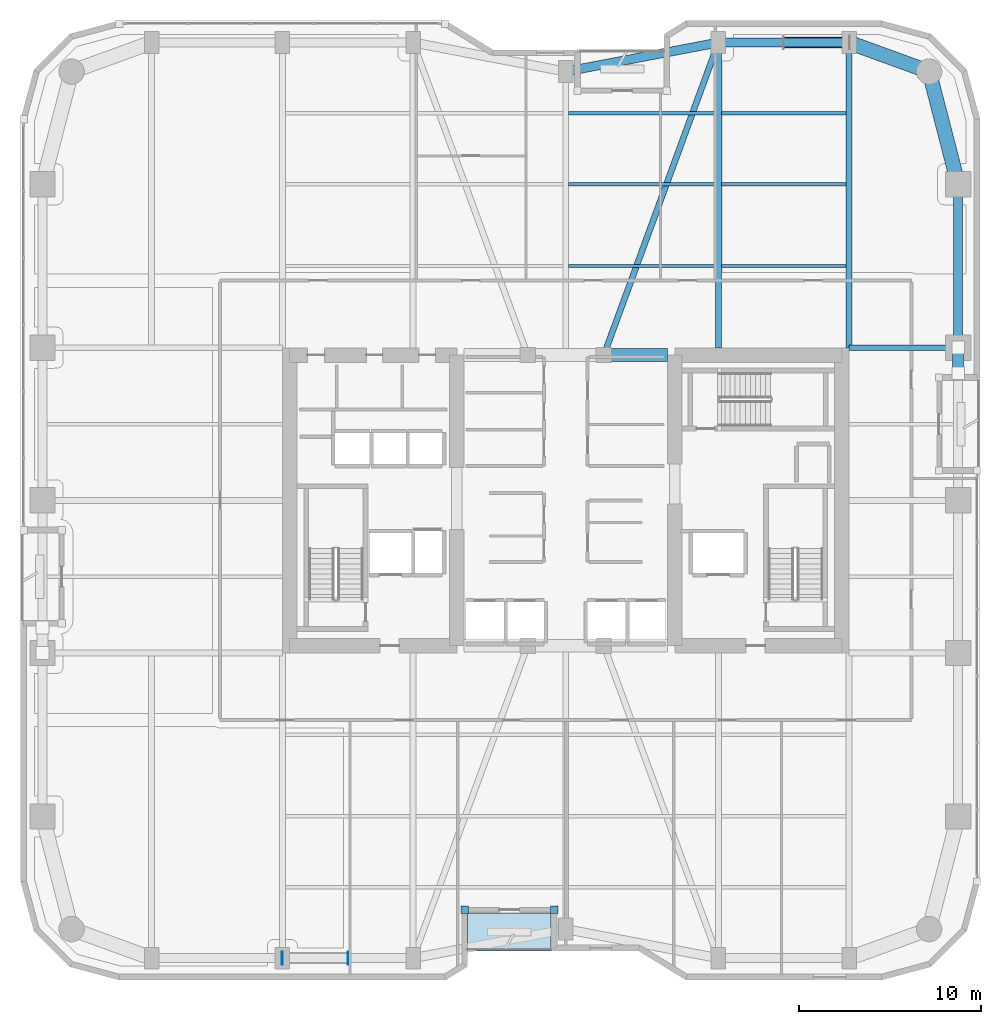
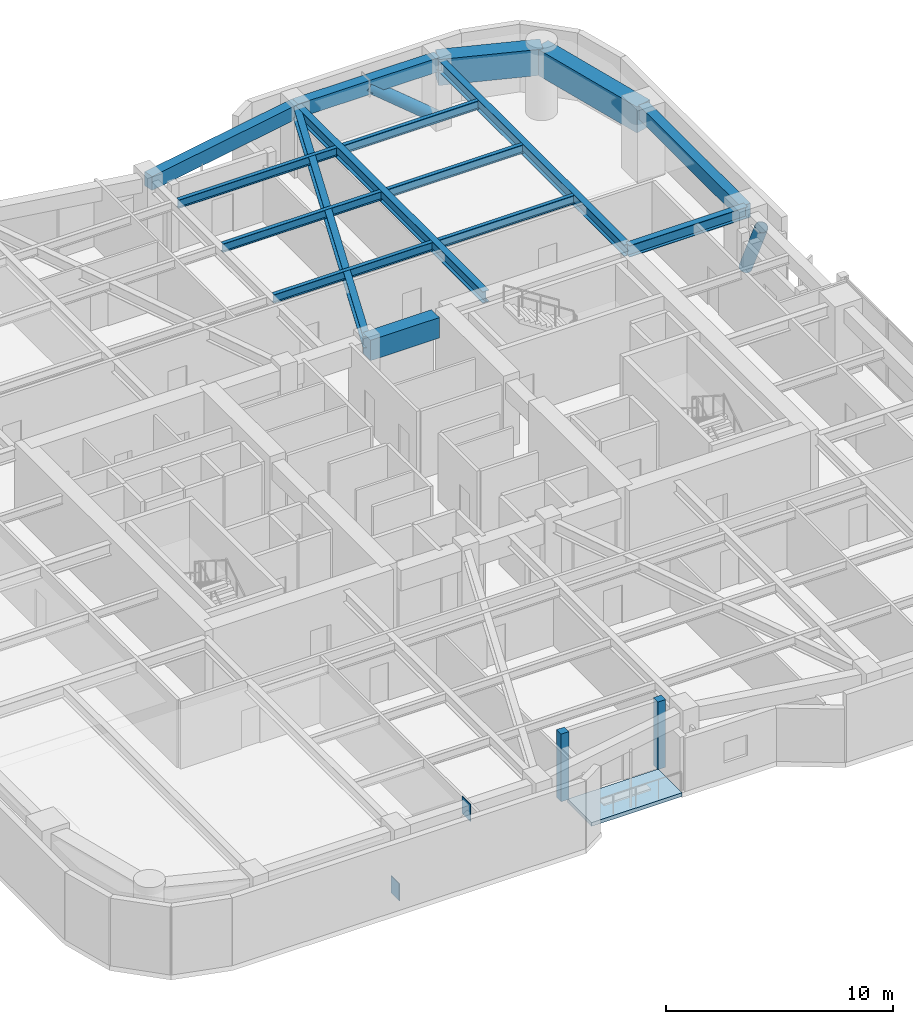
# One storey, part 15 of 24: 16 beams, 4 plates, 2 members, 1 slab.
"""IFC4 building model written with IfcOpenShell, lengths in metres."""

from ifc_helpers import new_model, si_unit, direction, frame, origin, origin_2d, place, context, subcontext, project, spatial, polyline, rectangle, hollow_circle, i_section, outline, extrude, material, layer, layer_set, material_profile, profile_set, type_object, element, save


model = new_model("IFC4")

# Units and contexts
model_context = context("Model", 3, precision=1e-05, world=origin(), true_north=direction((0.0, 1.0)))
body_context = subcontext(model_context, "Body", "Model", "MODEL_VIEW")
ifc_project = project(units=[si_unit("LENGTHUNIT", "METRE"), si_unit("AREAUNIT", "SQUARE_METRE"), si_unit("VOLUMEUNIT", "CUBIC_METRE"), si_unit("PLANEANGLEUNIT", "RADIAN"), si_unit("MASSUNIT", "GRAM", prefix="KILO")], contexts=[model_context])

# Site, building, storey
site_placement = place(None, origin())
site = spatial("IfcSite", under=ifc_project, at=site_placement, CompositionType="ELEMENT")
building_placement = place(site_placement, origin())
building = spatial("IfcBuilding", under=site, at=building_placement, Name="Kiyonajd Concourse Tower", CompositionType="ELEMENT")
storey_placement = place(building_placement, frame((0.0, 0.0, 101.39990234375)))
storey = spatial("IfcBuildingStorey", under=building, at=storey_placement, Name="L26", CompositionType="ELEMENT", Elevation=101.39990234375)

# Beams
ifc_material_1 = material(Name="Concrete C70/85", Category="concrete")
ifc_material_profile_1 = material_profile(ifc_material_1, rectangle(XDim=0.699951171875, YDim=1.10009765625, at=origin_2d()), Name="RCBM-700x1100")
ifc_profile_set_1 = profile_set([ifc_material_profile_1], Name="Concrete C70/85")
beam_type_1 = type_object("IfcBeamType", Name="BM-COUP-1100", PredefinedType="LINTEL", material=ifc_profile_set_1)
beam_1_placement = place(storey_placement, frame((50.10009765625, 44.0, 3.090087890625), z_axis=(1.0, 0.0, 0.0), x_axis=(0.0, 1.0, 0.0)))
element("IfcBeam", 1, at=beam_1_placement, inside=storey, type_object=beam_type_1, Name="L26 Core Coupling Beam N3", PredefinedType="LINTEL", context=body_context, shape_type="SweptSolid", body=[
    extrude(rectangle(XDim=0.699951171875, YDim=1.10009765625, at=origin_2d()), origin(), (0.0, 0.0, 1.0), 3.5),
])
ifc_material_2 = material(Name="Steel ASTM A992 Grade 50", Category="steel")
ifc_material_profile_2 = material_profile(ifc_material_2, i_section(OverallWidth=0.19189453125, OverallDepth=0.462890625, WebThickness=0.010498046875, FlangeThickness=0.017578125, at=origin_2d()), Name="W460X89")
ifc_profile_set_2 = profile_set([ifc_material_profile_2], Name="Steel ASTM A992 Grade 50")
beam_type_2 = type_object("IfcBeamType", Name="BM-JST-460B", PredefinedType="JOIST", material=ifc_profile_set_2)
beam_2_placement = place(storey_placement, frame((48.16357421875, 48.89990234375, 3.40869140625), z_axis=(1.0, 0.0, 0.0), x_axis=(0.0, 1.0, 0.0)))
element("IfcBeam", 2, at=beam_2_placement, inside=storey, type_object=beam_type_2, Name="L26 Secondary Floor Joist", PredefinedType="JOIST", context=body_context, shape_type="SweptSolid", body=[
    extrude(i_section(OverallWidth=0.19189453125, OverallDepth=0.462890625, WebThickness=0.010498046875, FlangeThickness=0.017578125, at=origin_2d()), origin(), (0.0, 0.0, 1.0), 8.072998046875),
])
beam_3_placement = place(storey_placement, frame((56.5634765625, 48.89990234375, 3.40869140625), z_axis=(1.0, 0.0, 0.0), x_axis=(0.0, 1.0, 0.0)))
element("IfcBeam", 3, at=beam_3_placement, inside=storey, type_object=beam_type_2, Name="L26 Secondary Floor Joist", PredefinedType="JOIST", context=body_context, shape_type="SweptSolid", body=[
    extrude(i_section(OverallWidth=0.19189453125, OverallDepth=0.462890625, WebThickness=0.010498046875, FlangeThickness=0.017578125, at=origin_2d()), origin(), (0.0, 0.0, 1.0), 6.873046875),
])
beam_4_placement = place(storey_placement, frame((48.16357421875, 53.39990234375, 3.40869140625), z_axis=(1.0, 0.0, 0.0), x_axis=(0.0, 1.0, 0.0)))
element("IfcBeam", 4, at=beam_4_placement, inside=storey, type_object=beam_type_2, Name="L26 Secondary Floor Joist", PredefinedType="JOIST", context=body_context, shape_type="SweptSolid", body=[
    extrude(i_section(OverallWidth=0.19189453125, OverallDepth=0.462890625, WebThickness=0.010498046875, FlangeThickness=0.017578125, at=origin_2d()), origin(), (0.0, 0.0, 1.0), 8.072998046875),
])
beam_5_placement = place(storey_placement, frame((56.5634765625, 53.39990234375, 3.40869140625), z_axis=(1.0, 0.0, 0.0), x_axis=(0.0, 1.0, 0.0)))
element("IfcBeam", 5, at=beam_5_placement, inside=storey, type_object=beam_type_2, Name="L26 Secondary Floor Joist", PredefinedType="JOIST", context=body_context, shape_type="SweptSolid", body=[
    extrude(i_section(OverallWidth=0.19189453125, OverallDepth=0.462890625, WebThickness=0.010498046875, FlangeThickness=0.017578125, at=origin_2d()), origin(), (0.0, 0.0, 1.0), 6.873046875),
])
beam_6_placement = place(storey_placement, frame((48.16357421875, 57.300048828125, 3.40869140625), z_axis=(1.0, 0.0, 0.0), x_axis=(0.0, 1.0, 0.0)))
element("IfcBeam", 6, at=beam_6_placement, inside=storey, type_object=beam_type_2, Name="L26 Secondary Floor Joist", PredefinedType="JOIST", context=body_context, shape_type="SweptSolid", body=[
    extrude(i_section(OverallWidth=0.19189453125, OverallDepth=0.462890625, WebThickness=0.010498046875, FlangeThickness=0.017578125, at=origin_2d()), origin(), (0.0, 0.0, 1.0), 8.072998046875),
])
beam_7_placement = place(storey_placement, frame((56.5634765625, 57.300048828125, 3.40869140625), z_axis=(1.0, 0.0, 0.0), x_axis=(0.0, 1.0, 0.0)))
element("IfcBeam", 7, at=beam_7_placement, inside=storey, type_object=beam_type_2, Name="L26 Secondary Floor Joist", PredefinedType="JOIST", context=body_context, shape_type="SweptSolid", body=[
    extrude(i_section(OverallWidth=0.19189453125, OverallDepth=0.462890625, WebThickness=0.010498046875, FlangeThickness=0.017578125, at=origin_2d()), origin(), (0.0, 0.0, 1.0), 6.873046875),
])
ifc_material_3 = material(Name="Precast concrete C50/60", Category="concrete")
ifc_material_profile_3 = material_profile(ifc_material_3, rectangle(XDim=0.5, YDim=0.75, at=origin_2d()), Name="RCBM-500x750")
ifc_profile_set_3 = profile_set([ifc_material_profile_3], Name="Precast concrete C50/60")
beam_type_3 = type_object("IfcBeamType", Name="BM-SPAN-RC", PredefinedType="SPANDREL", material=ifc_profile_set_3)
beam_8_placement = place(storey_placement, frame((69.60009765625, 44.39990234375, 3.26513671875), z_axis=(0.0, 1.0, 0.0), x_axis=(-1.0, 0.0, 0.0)))
element("IfcBeam", 8, at=beam_8_placement, inside=storey, type_object=beam_type_3, Name="L26 Perimeter Bundled Tube Spandrel", PredefinedType="SPANDREL", context=body_context, shape_type="SweptSolid", body=[
    extrude(rectangle(XDim=0.5, YDim=0.75, at=origin_2d()), origin(), (0.0, 0.0, 1.0), 9.0),
])
beam_9_placement = place(storey_placement, frame((63.60009765625, 61.199951171875, 3.26513671875), z_axis=(-1.0, 0.0, 0.0), x_axis=(0.0, -1.0, 0.0)))
element("IfcBeam", 9, at=beam_9_placement, inside=storey, type_object=beam_type_3, Name="L26 Perimeter Bundled Tube Spandrel", PredefinedType="SPANDREL", context=body_context, shape_type="SweptSolid", body=[
    extrude(rectangle(XDim=0.5, YDim=0.75, at=origin_2d()), origin(), (0.0, 0.0, 1.0), 7.2001953125),
])
beam_10_placement = place(storey_placement, frame((56.39990234375, 61.199951171875, 3.26513671875), z_axis=(-0.982341315253, -0.187097675953, 0.0), x_axis=(0.187097675953, -0.982341315253, 0.0)))
element("IfcBeam", 10, at=beam_10_placement, inside=storey, type_object=beam_type_3, Name="L26 Perimeter Bundled Tube Spandrel", PredefinedType="SPANDREL", context=body_context, shape_type="SweptSolid", body=[
    extrude(rectangle(XDim=0.5, YDim=0.75, at=origin_2d()), origin(), (0.0, 0.0, 1.0), 8.55078125),
])
ifc_material_profile_4 = material_profile(ifc_material_2, i_section(OverallWidth=0.326904296875, OverallDepth=0.6220703125, WebThickness=0.015380859375, FlangeThickness=0.0244140625, at=origin_2d()), Name="W610X195")
ifc_profile_set_4 = profile_set([ifc_material_profile_4], Name="Steel ASTM A992 Grade 50")
beam_type_4 = type_object("IfcBeamType", Name="BM-TWR-610A", PredefinedType="BEAM", material=ifc_profile_set_4)
beam_11_placement = place(storey_placement, frame((50.10009765625, 44.0, 3.3291015625), z_axis=(0.343925269715, 0.938997022813, 0.0), x_axis=(-0.938997022813, 0.343925269715, 0.0)))
element("IfcBeam", 11, at=beam_11_placement, inside=storey, type_object=beam_type_4, Name="L26 Core Tie Girder", PredefinedType="BEAM", context=body_context, shape_type="SweptSolid", body=[
    extrude(i_section(OverallWidth=0.326904296875, OverallDepth=0.6220703125, WebThickness=0.015380859375, FlangeThickness=0.0244140625, at=origin_2d()), origin(), (0.0, 0.0, 1.0), 18.3173828125),
])
for number, where, z_axis, x_axis, name in (
    (12, (56.39990234375, 44.39990234375, 3.3291015625), (0.0, 1.0, 0.0), (-1.0, 0.0, 0.0), "L26 North Lease Girder"),
    (13, (63.60009765625, 44.39990234375, 3.3291015625), (0.0, 1.0, 0.0), (-1.0, 0.0, 0.0), "L26 North Lease Girder"),
):
    element("IfcBeam", number, at=place(storey_placement, frame(where, z_axis=z_axis, x_axis=x_axis)), inside=storey, type_object=beam_type_4, Name=name, PredefinedType="BEAM", context=body_context, shape_type="SweptSolid", body=[
        extrude(i_section(OverallWidth=0.326904296875, OverallDepth=0.6220703125, WebThickness=0.015380859375, FlangeThickness=0.0244140625, at=origin_2d()), origin(), (0.0, 0.0, 1.0), 16.800048828125),
    ])
beam_12_placement = place(storey_placement, frame((63.60009765625, 44.39990234375, 3.3291015625), z_axis=(1.0, 0.0, 0.0), x_axis=(0.0, 1.0, 0.0)))
element("IfcBeam", 14, at=beam_12_placement, inside=storey, type_object=beam_type_4, Name="L26 East Lease Girder", PredefinedType="BEAM", context=body_context, shape_type="SweptSolid", body=[
    extrude(i_section(OverallWidth=0.326904296875, OverallDepth=0.6220703125, WebThickness=0.015380859375, FlangeThickness=0.0244140625, at=origin_2d()), origin(), (0.0, 0.0, 1.0), 6.0),
])
ifc_material_4 = material(Name="Concrete C60/75", Category="concrete")
ifc_material_profile_5 = material_profile(ifc_material_4, rectangle(XDim=0.800048828125, YDim=1.39990234375, at=origin_2d()), Name="RCBM-800x1400")
ifc_profile_set_5 = profile_set([ifc_material_profile_5], Name="Concrete C60/75")
beam_type_5 = type_object("IfcBeamType", Name="BM-XFER-RC", PredefinedType="BEAM", material=ifc_profile_set_5)
beam_13_placement = place(storey_placement, frame((69.60009765625, 53.39990234375, 2.940185546875), z_axis=(-0.249884937687, 0.968275538221, 0.0), x_axis=(-0.968275538221, -0.249884937687, 0.0)))
element("IfcBeam", 15, at=beam_13_placement, inside=storey, type_object=beam_type_5, Name="L26 Perimeter Bundled Tube Spandrel", PredefinedType="BEAM", context=body_context, shape_type="SweptSolid", body=[
    extrude(rectangle(XDim=0.800048828125, YDim=1.39990234375, at=origin_2d()), origin(), (0.0, 0.0, 1.0), 6.4033203125),
])
beam_14_placement = place(storey_placement, frame((68.0, 59.60009765625, 2.940185546875), z_axis=(-0.939801036019, 0.341722127901, 0.0), x_axis=(-0.341722127901, -0.939801036019, 0.0)))
element("IfcBeam", 16, at=beam_14_placement, inside=storey, type_object=beam_type_5, Name="L26 Perimeter Bundled Tube Spandrel", PredefinedType="BEAM", context=body_context, shape_type="SweptSolid", body=[
    extrude(rectangle(XDim=0.800048828125, YDim=1.39990234375, at=origin_2d()), origin(), (0.0, 0.0, 1.0), 4.681640625),
])

# Members
ifc_material_5 = material(Name="Steel ASTM A572 Grade 50", Category="steel")
ifc_material_profile_6 = material_profile(ifc_material_5, hollow_circle(Radius=0.304931640625, WallThickness=0.02490234375, at=origin_2d()), Name="CHS-610x25")
ifc_profile_set_6 = profile_set([ifc_material_profile_6], Name="Steel ASTM A572 Grade 50")
member_type = type_object("IfcMemberType", Name="MB-PB-LOW", PredefinedType="BRACE", material=ifc_profile_set_6)
member_1_placement = place(storey_placement, frame((63.60009765625, 61.199951171875, 0.300048828125), z_axis=(-0.769280705518, 0.0, 0.638910945373), x_axis=(0.0, -1.0, 0.0)))
element("IfcMember", 17, at=member_1_placement, inside=storey, type_object=member_type, Name="L26 Lower Zone Welded Tube Brace PBN", PredefinedType="BRACE", context=body_context, shape_type="SweptSolid", body=[
    extrude(hollow_circle(Radius=0.304931640625, WallThickness=0.02490234375, at=origin_2d()), origin(), (0.0, 0.0, 1.0), 4.679931640625),
])
member_2_placement = place(storey_placement, frame((69.60009765625, 44.39990234375, 0.300048828125), z_axis=(0.0, -0.424022702926, 0.905651559598), x_axis=(1.0, 0.0, 0.0)))
element("IfcMember", 18, at=member_2_placement, inside=storey, type_object=member_type, Name="L26 Lower Zone Welded Tube Brace PBE", PredefinedType="BRACE", context=body_context, shape_type="SweptSolid", body=[
    extrude(hollow_circle(Radius=0.304931640625, WallThickness=0.02490234375, at=origin_2d()), origin(), (0.0, 0.0, 1.0), 3.301513671875),
])

# Plates
ifc_layer_1 = layer(ifc_material_5, 0.028076171875)
ifc_layer_set_1 = layer_set([ifc_layer_1], Name="Steel ASTM A572 Grade 50")
plate_type_1 = type_object("IfcPlateType", Name="PL-CAP-450", PredefinedType="USERDEFINED", material=ifc_layer_set_1)
for number, where, z_axis, x_axis, name in (
    (19, (32.3916015625, 10.800048828125, -0.17333984375), (0.0, 0.0, 1.0), (-1.0, 0.0, 0.0), "L26 Hollow Brace End Cap Plate PBS"),
    (20, (36.008544921875, 10.800048828125, 2.83056640625), (0.0, 0.0, 1.0), (1.0, 0.0, 0.0), "L26 Hollow Brace Top Cap Plate PBS"),
):
    element("IfcPlate", number, at=place(storey_placement, frame(where, z_axis=z_axis, x_axis=x_axis)), inside=storey, type_object=plate_type_1, Name=name, ObjectType="CAP PLATE", PredefinedType="USERDEFINED", context=body_context, shape_type="SweptSolid", body=[
        extrude(rectangle(XDim=0.035888671875, YDim=0.72998046875, at=origin_2d()), origin(), (0.0, 0.0, 1.0), 0.93310546875),
    ])
ifc_material_6 = material(Name="Thermally Broken Anodised Aluminium", Category="aluminium")
ifc_layer_2 = layer(ifc_material_6, 0.39990234375)
ifc_layer_set_2 = layer_set([ifc_layer_2], Name="Thermally Broken Anodised Aluminium")
plate_type_2 = type_object("IfcPlateType", Name="PL-JMB-400", PredefinedType="USERDEFINED", material=ifc_layer_set_2)
for number, where, z_axis, x_axis, name in (
    (21, (47.360107421875, 13.4599609375, 0.0), (0.0, 0.0, 1.0), (1.0, 0.0, 0.0), "L26 Facade Jamb Closure Plate 13"),
    (22, (42.43994140625, 13.4599609375, 0.0), (0.0, 0.0, 1.0), (1.0, 0.0, 0.0), "L26 Facade Jamb Closure Plate 14"),
):
    element("IfcPlate", number, at=place(storey_placement, frame(where, z_axis=z_axis, x_axis=x_axis)), inside=storey, type_object=plate_type_2, Name=name, ObjectType="JAMB PLATE", PredefinedType="USERDEFINED", context=body_context, shape_type="SweptSolid", body=[
        extrude(rectangle(XDim=0.39990234375, YDim=0.39990234375, at=origin_2d()), origin(), (0.0, 0.0, 1.0), 3.639892578125),
    ])

# Slab
ifc_layer_3 = layer(ifc_material_3, 0.199951171875)
ifc_layer_set_3 = layer_set([ifc_layer_3], Name="Precast concrete C50/60")
slab_type = type_object("IfcSlabType", Name="SL-LOG-200", PredefinedType="FLOOR", material=ifc_layer_set_3)
slab_placement = place(storey_placement, frame((0.0, 0.0, -0.199951171875)))
element("IfcSlab", 23, at=slab_placement, inside=storey, type_object=slab_type, Name="L26 Recessed Engawa Loggia Terrace Slab LOG-S", PredefinedType="FLOOR", context=body_context, shape_type="SweptSolid", body=[
    extrude(outline(polyline([(42.60009765625, 11.199951171875), (47.199951171875, 11.199951171875), (47.199951171875, 13.300048828125), (42.60009765625, 13.300048828125), (42.60009765625, 11.199951171875)])), origin(), (0.0, 0.0, 1.0), 0.199951171875),
])

save(model, "model.ifc")
